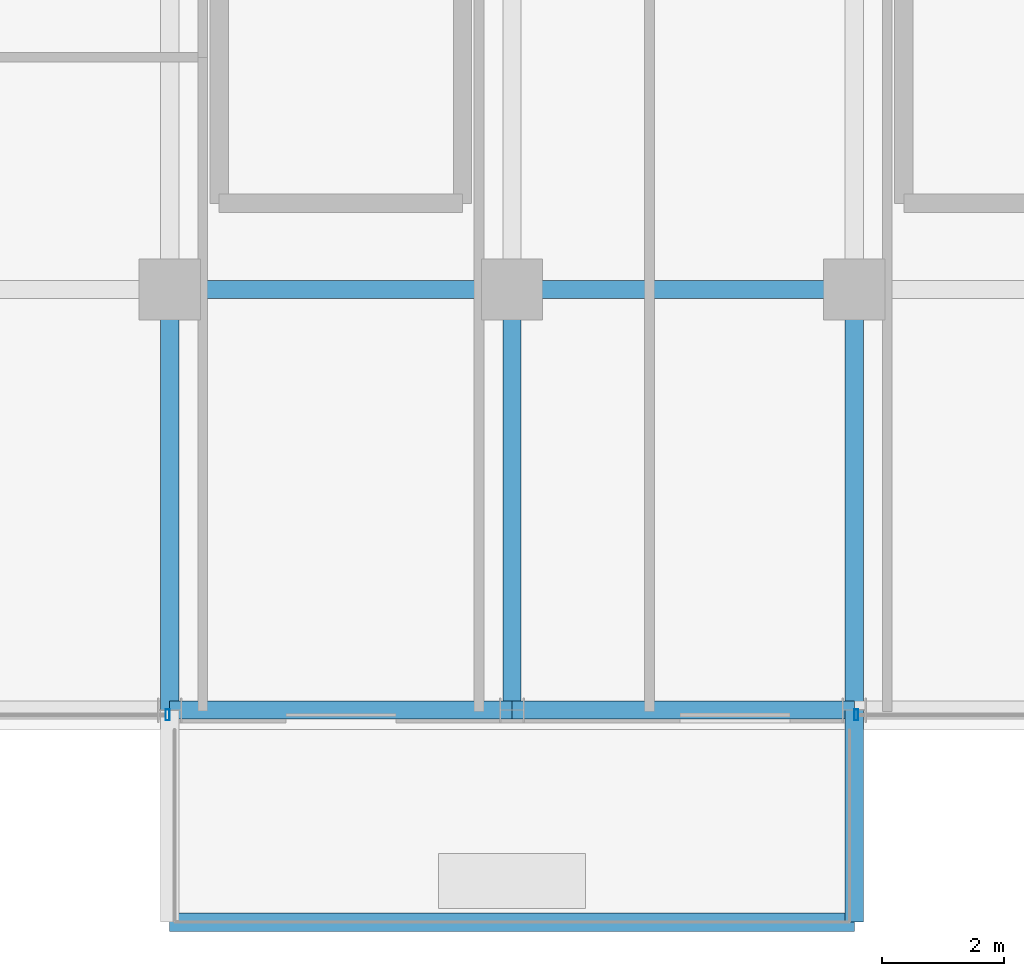
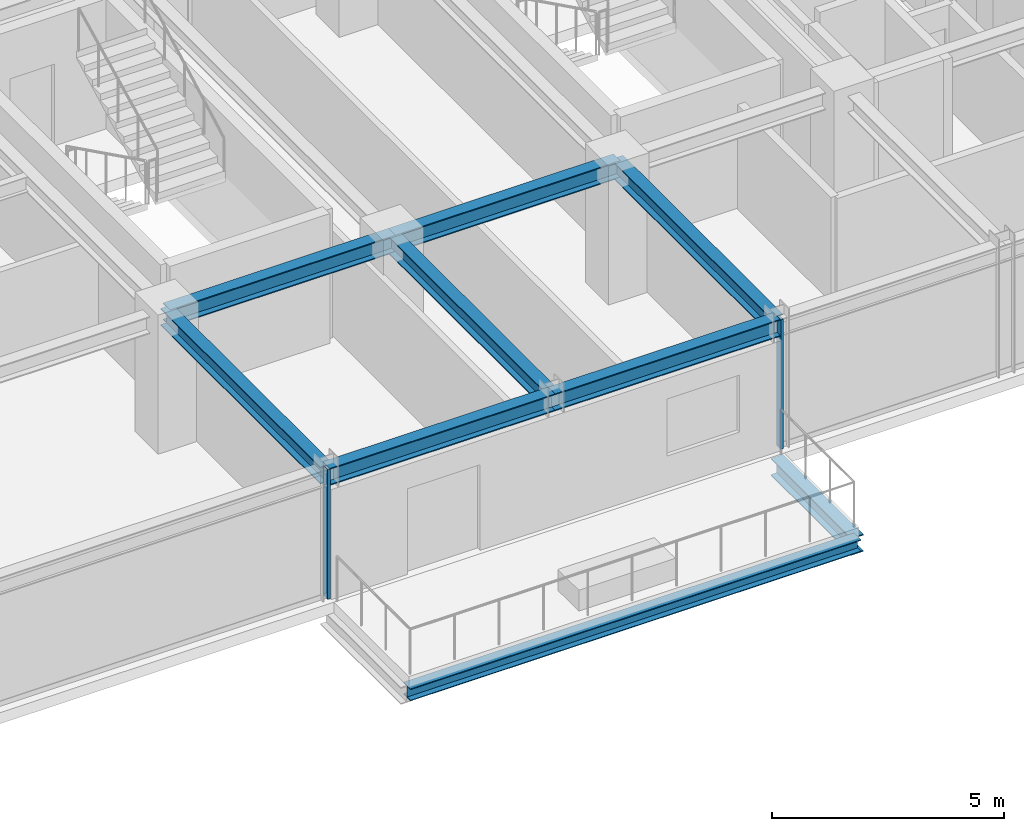
# One storey, part 6 of 32: 9 beams, 2 members, 2 elements without a shape of their own.
"""IFC4 building model written with IfcOpenShell, lengths in metres."""

from ifc_helpers import new_model, si_unit, direction, frame, origin, origin_2d, place, context, subcontext, project, spatial, hollow_rectangle, i_section, extrude, source, transform, mapped, material, material_profile, profile_set, type_object, element, aggregate, save


model = new_model("IFC4")

# Units and contexts
model_context = context("Model", 3, precision=1e-05, world=origin(), true_north=direction((0.0, 1.0)))
body_context = subcontext(model_context, "Body", "Model", "MODEL_VIEW")
ifc_project = project(units=[si_unit("LENGTHUNIT", "METRE"), si_unit("AREAUNIT", "SQUARE_METRE"), si_unit("VOLUMEUNIT", "CUBIC_METRE"), si_unit("PLANEANGLEUNIT", "RADIAN"), si_unit("MASSUNIT", "GRAM", prefix="KILO")], contexts=[model_context])

# Site, building, storey
site_placement = place(None, origin())
site = spatial("IfcSite", under=ifc_project, at=site_placement, CompositionType="ELEMENT")
building_placement = place(site_placement, origin())
building = spatial("IfcBuilding", under=site, at=building_placement, Name="Nahalor Promenade Grand Hotel", CompositionType="ELEMENT")
storey_placement = place(building_placement, frame((0.0, 0.0, 230.800048828125)))
storey = spatial("IfcBuildingStorey", under=building, at=storey_placement, Name="L59", CompositionType="ELEMENT", Elevation=230.800048828125)

# Beams
ifc_material_1 = material(Name="Steel S355JR", Category="steel")
ifc_material_profile_1 = material_profile(ifc_material_1, i_section(OverallWidth=0.3, OverallDepth=0.32, WebThickness=0.0115, FlangeThickness=0.0205, at=origin_2d()), Name="HEB 320")
ifc_profile_set_1 = profile_set([ifc_material_profile_1], Name="Steel S355JR")
beam_type_1 = type_object("IfcBeamType", Name="Beam-BalcEdge-HEB320", PredefinedType="SPANDREL", material=ifc_profile_set_1)
shared_shape_1 = source(origin(), body_context, "Body", "SweptSolid", [
    extrude(i_section(OverallWidth=0.3, OverallDepth=0.32, WebThickness=0.0115, FlangeThickness=0.0205, at=origin_2d()), origin(), (0.0, 0.0, 1.0), 11.199951171875),
])
beam_1_placement = place(storey_placement, frame((-8.39990234375, -27.35009765625, -0.43994140625), z_axis=(1.0, 0.0, 0.0), x_axis=(0.0, 1.0, 0.0)))
element("IfcBeam", 1, at=beam_1_placement, inside=storey, type_object=beam_type_1, Name="BM-L59-BC-01-F", PredefinedType="SPANDREL", context=body_context, shape_type="MappedRepresentation", body=[
    mapped(shared_shape_1, transform((0.0, 0.0, 0.0), scale=1.0)),
])
ifc_material_profile_2 = material_profile(ifc_material_1, i_section(OverallWidth=0.3, OverallDepth=0.45, WebThickness=0.014, FlangeThickness=0.026, at=origin_2d()), Name="HEB 450")
ifc_profile_set_2 = profile_set([ifc_material_profile_2], Name="Steel S355JR")
beam_type_2 = type_object("IfcBeamType", Name="Beam-Outrigger-HEB450", PredefinedType="BEAM", material=ifc_profile_set_2)
shared_shape_2 = source(origin(), body_context, "Body", "SweptSolid", [
    extrude(i_section(OverallWidth=0.3, OverallDepth=0.45, WebThickness=0.014, FlangeThickness=0.026, at=origin_2d()), origin(), (0.0, 0.0, 1.0), 3.47021484375),
])
beam_2_placement = place(storey_placement, frame((2.800048828125, -27.35009765625, -0.505126953125), z_axis=(0.0, 1.0, 0.0), x_axis=(-1.0, 0.0, 0.0)))
element("IfcBeam", 2, at=beam_2_placement, inside=storey, type_object=beam_type_2, Name="BM-L59-BC-01-2", PredefinedType="BEAM", context=body_context, shape_type="MappedRepresentation", body=[
    mapped(shared_shape_2, transform((0.0, 0.0, 0.0), scale=1.0)),
])
ifc_material_profile_3 = material_profile(ifc_material_1, i_section(OverallWidth=0.3, OverallDepth=0.45, WebThickness=0.014, FlangeThickness=0.026, at=origin_2d()), Name="HEB 450")
ifc_profile_set_3 = profile_set([ifc_material_profile_3], Name="Steel S355JR")
beam_type_3 = type_object("IfcBeamType", Name="Beam-Spandrel-HEB450", PredefinedType="SPANDREL", material=ifc_profile_set_3)
shared_shape_3 = source(origin(), body_context, "Body", "SweptSolid", [
    extrude(i_section(OverallWidth=0.3, OverallDepth=0.45, WebThickness=0.014, FlangeThickness=0.026, at=origin_2d()), origin(), (0.0, 0.0, 1.0), 5.599853515625),
])
beam_3_placement = place(storey_placement, frame((-8.39990234375, -23.8798828125, 3.18505859375), z_axis=(1.0, 0.0, 0.0), x_axis=(0.0, 1.0, 0.0)))
element("IfcBeam", 3, at=beam_3_placement, inside=storey, type_object=beam_type_3, Name="BM-L59-SP-S-1", PredefinedType="SPANDREL", context=body_context, shape_type="MappedRepresentation", body=[
    mapped(shared_shape_3, transform((0.0, 0.0, 0.0), scale=1.0)),
])
shared_shape_4 = source(origin(), body_context, "Body", "SweptSolid", [
    extrude(i_section(OverallWidth=0.3, OverallDepth=0.45, WebThickness=0.014, FlangeThickness=0.026, at=origin_2d()), origin(), (0.0, 0.0, 1.0), 5.60009765625),
])
beam_4_placement = place(storey_placement, frame((-2.800048828125, -23.8798828125, 3.18505859375), z_axis=(1.0, 0.0, 0.0), x_axis=(0.0, 1.0, 0.0)))
element("IfcBeam", 4, at=beam_4_placement, inside=storey, type_object=beam_type_3, Name="BM-L59-SP-S-2", PredefinedType="SPANDREL", context=body_context, shape_type="MappedRepresentation", body=[
    mapped(shared_shape_4, transform((0.0, 0.0, 0.0), scale=1.0)),
])
ifc_material_profile_4 = material_profile(ifc_material_1, i_section(OverallWidth=0.3, OverallDepth=0.45, WebThickness=0.014, FlangeThickness=0.026, at=origin_2d()), Name="HEB 450")
ifc_profile_set_4 = profile_set([ifc_material_profile_4], Name="Steel S355JR")
beam_type_4 = type_object("IfcBeamType", Name="Beam-Girder-HEB450", PredefinedType="BEAM", material=ifc_profile_set_4)
shared_shape_5 = source(origin(), body_context, "Body", "SweptSolid", [
    extrude(i_section(OverallWidth=0.3, OverallDepth=0.45, WebThickness=0.014, FlangeThickness=0.026, at=origin_2d()), origin(), (0.0, 0.0, 1.0), 6.8798828125),
])
for number, where, z_axis, x_axis, name in (
    (5, (-8.39990234375, -23.8798828125, 3.18505859375), (0.0, 1.0, 0.0), (-1.0, 0.0, 0.0), "BM-L59-GY-1-0"),
    (6, (-2.800048828125, -23.8798828125, 3.18505859375), (0.0, 1.0, 0.0), (-1.0, 0.0, 0.0), "BM-L59-GY-2-0"),
    (7, (2.800048828125, -23.8798828125, 3.18505859375), (0.0, 1.0, 0.0), (-1.0, 0.0, 0.0), "BM-L59-GY-3-0"),
):
    element("IfcBeam", number, at=place(storey_placement, frame(where, z_axis=z_axis, x_axis=x_axis)), inside=storey, type_object=beam_type_4, Name=name, PredefinedType="BEAM", context=body_context, shape_type="MappedRepresentation", body=[
        mapped(shared_shape_5, transform((0.0, 0.0, 0.0), scale=1.0)),
    ])
shared_shape_6 = source(origin(), body_context, "Body", "SweptSolid", [
    extrude(i_section(OverallWidth=0.3, OverallDepth=0.45, WebThickness=0.014, FlangeThickness=0.026, at=origin_2d()), origin(), (0.0, 0.0, 1.0), 5.599853515625),
])
beam_5_placement = place(storey_placement, frame((-8.39990234375, -17.0, 3.18505859375), z_axis=(1.0, 0.0, 0.0), x_axis=(0.0, 1.0, 0.0)))
element("IfcBeam", 8, at=beam_5_placement, inside=storey, type_object=beam_type_4, Name="BM-L59-GX-0-2", PredefinedType="BEAM", context=body_context, shape_type="MappedRepresentation", body=[
    mapped(shared_shape_6, transform((0.0, 0.0, 0.0), scale=1.0)),
])
shared_shape_7 = source(origin(), body_context, "Body", "SweptSolid", [
    extrude(i_section(OverallWidth=0.3, OverallDepth=0.45, WebThickness=0.014, FlangeThickness=0.026, at=origin_2d()), origin(), (0.0, 0.0, 1.0), 5.60009765625),
])
beam_6_placement = place(storey_placement, frame((-2.800048828125, -17.0, 3.18505859375), z_axis=(1.0, 0.0, 0.0), x_axis=(0.0, 1.0, 0.0)))
element("IfcBeam", 9, at=beam_6_placement, inside=storey, type_object=beam_type_4, Name="BM-L59-GX-0-3", PredefinedType="BEAM", context=body_context, shape_type="MappedRepresentation", body=[
    mapped(shared_shape_7, transform((0.0, 0.0, 0.0), scale=1.0)),
])

# Curtain wall, member
ifc_material_2 = material(Name="Anodised Bronze Aluminium EN AW-6063 T6", Category="aluminium")
curtain_wall_type = type_object("IfcCurtainWallType", Name="CW2 Typical Hotel Flush Bronze Unitised Curtain Wall", PredefinedType="USERDEFINED", material=ifc_material_2)
curtain_wall_1_placement = place(storey_placement, origin())
curtain_wall_1 = element("IfcCurtainWall", 10, at=curtain_wall_1_placement, inside=storey, type_object=curtain_wall_type, Name="L59 Curtain Wall CW-L59-S-1", ObjectType="UNITISED_CURTAIN_WALL", PredefinedType="USERDEFINED")
ifc_material_profile_5 = material_profile(ifc_material_2, hollow_rectangle(XDim=0.065, YDim=0.18, WallThickness=0.004, at=origin_2d()), Name="CWM 65x180x4")
ifc_profile_set_5 = profile_set([ifc_material_profile_5], Name="Anodised Bronze Aluminium EN AW-6063 T6")
member_type = type_object("IfcMemberType", Name="CWM2 Typical Bronze Mullion 65x180", PredefinedType="MULLION", material=ifc_profile_set_5)
shared_shape_8 = source(origin(), body_context, "Body", "SweptSolid", [
    extrude(hollow_rectangle(XDim=0.065, YDim=0.18, WallThickness=0.004, at=origin_2d()), origin(), (0.0, 0.0, 1.0), 3.409912109375),
])
member_1_placement = place(storey_placement, frame((-8.4326171875, -23.9599609375, 0.0), z_axis=(0.0, 0.0, 1.0), x_axis=(1.0, 0.0, 0.0)))
member_1 = element("IfcMember", 11, at=member_1_placement, type_object=member_type, Name="CW-L59-S-1 Mullion 1", PredefinedType="MULLION", context=body_context, shape_type="MappedRepresentation", body=[
    mapped(shared_shape_8, transform((0.0, 0.0, 0.0), scale=1.0)),
])
aggregate(curtain_wall_1, [member_1])

curtain_wall_2_placement = place(storey_placement, origin())
curtain_wall_2 = element("IfcCurtainWall", 12, at=curtain_wall_2_placement, inside=storey, type_object=curtain_wall_type, Name="L59 Curtain Wall CW-L59-S-3", ObjectType="UNITISED_CURTAIN_WALL", PredefinedType="USERDEFINED")
member_2_placement = place(storey_placement, frame((2.83251953125, -23.9599609375, 0.0), z_axis=(0.0, 0.0, 1.0), x_axis=(1.0, 0.0, 0.0)))
member_2 = element("IfcMember", 13, at=member_2_placement, type_object=member_type, Name="CW-L59-S-3 Mullion 0", PredefinedType="MULLION", context=body_context, shape_type="MappedRepresentation", body=[
    mapped(shared_shape_8, transform((0.0, 0.0, 0.0), scale=1.0)),
])
aggregate(curtain_wall_2, [member_2])

save(model, "model.ifc")
